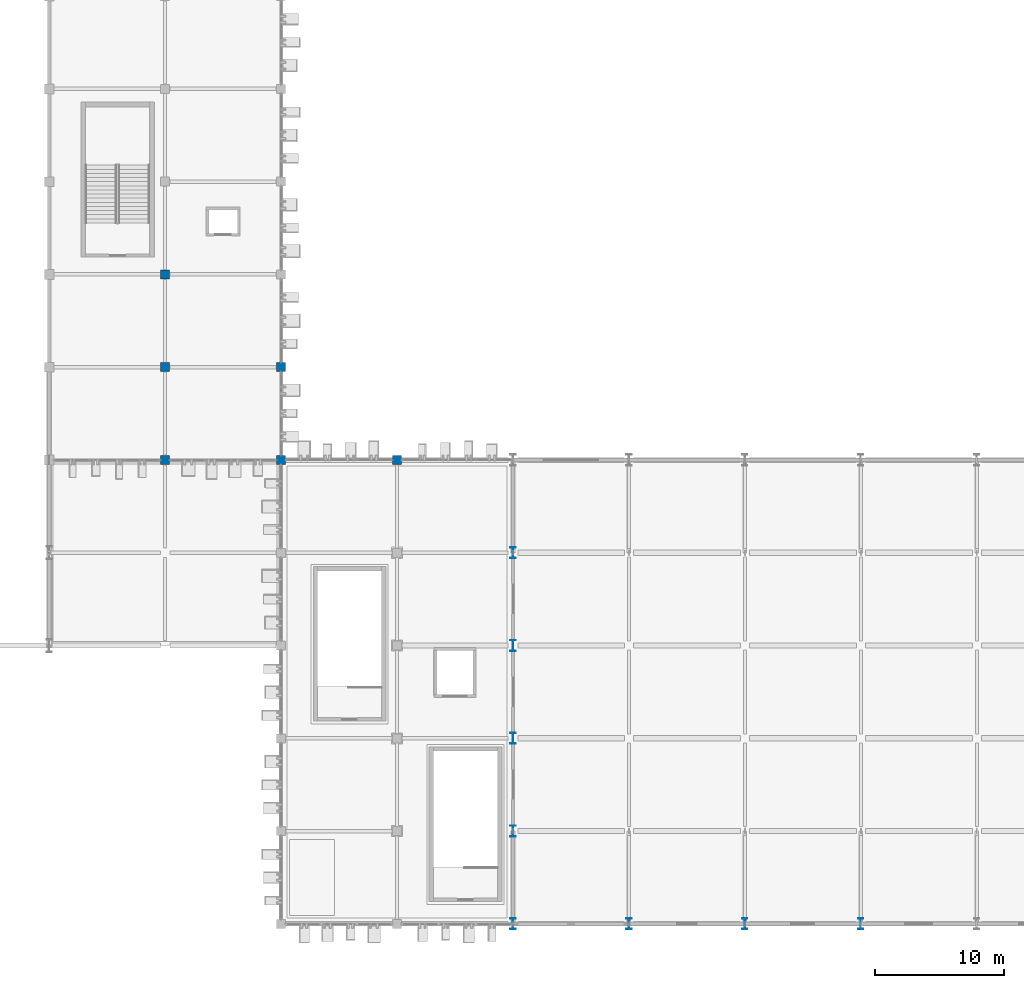
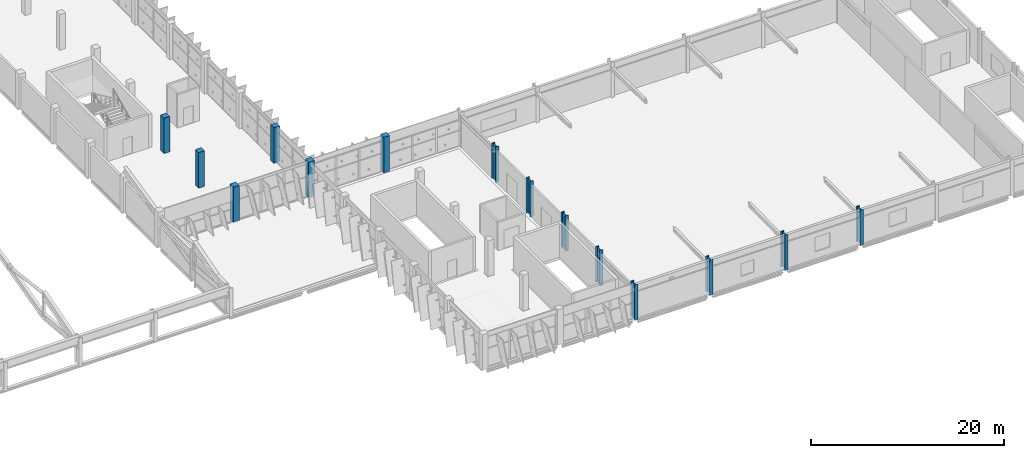
# One storey, part 5 of 151: 14 columns.
"""IFC4 building model written with IfcOpenShell, lengths in metres."""

from ifc_helpers import new_model, si_unit, direction, frame, origin, origin_2d, place, context, subcontext, project, spatial, rectangle, i_section, extrude, material, material_profile, profile_set, type_object, element, save


model = new_model("IFC4")

# Units and contexts
model_context = context("Model", 3, precision=1e-05, world=origin(), true_north=direction((0.0, 1.0)))
body_context = subcontext(model_context, "Body", "Model", "MODEL_VIEW")
ifc_project = project(units=[si_unit("LENGTHUNIT", "METRE"), si_unit("AREAUNIT", "SQUARE_METRE"), si_unit("VOLUMEUNIT", "CUBIC_METRE"), si_unit("PLANEANGLEUNIT", "RADIAN"), si_unit("MASSUNIT", "GRAM", prefix="KILO")], contexts=[model_context])

# Site, building, storey
site_placement = place(None, origin())
site = spatial("IfcSite", under=ifc_project, at=site_placement, CompositionType="ELEMENT")
building_placement = place(site_placement, origin())
building = spatial("IfcBuilding", under=site, at=building_placement, Name="Celestram Park Convention Centre", CompositionType="ELEMENT")
storey_placement = place(building_placement, frame((0.0, 0.0, 10.800048828125)))
storey = spatial("IfcBuildingStorey", under=building, at=storey_placement, Name="L02", CompositionType="ELEMENT", Elevation=10.800048828125)

# Columns
ifc_material_1 = material(Name="Concrete C40/50", Category="concrete")
ifc_material_profile_1 = material_profile(ifc_material_1, rectangle(XDim=0.699951171875, YDim=0.699951171875, at=origin_2d()), Name="RC700X700")
ifc_profile_set_1 = profile_set([ifc_material_profile_1], Name="Concrete C40/50")
column_type_1 = type_object("IfcColumnType", Name="STR-COL-RC700", PredefinedType="COLUMN", material=ifc_profile_set_1)
for number, where, z_axis, x_axis, name in (
    (1, (135.0, 36.0, 0.0), (0.0, 0.0, 1.0), (1.0, 0.0, 0.0), "Column CN-L02-138"),
    (2, (135.0, 43.199951171875, 0.0), (0.0, 0.0, 1.0), (1.0, 0.0, 0.0), "Column CN-L02-139"),
    (3, (135.0, 50.39990234375, 0.0), (0.0, 0.0, 1.0), (1.0, 0.0, 0.0), "Column CN-L02-140"),
    (4, (144.0, 36.0, 0.0), (0.0, 0.0, 1.0), (1.0, 0.0, 0.0), "Column CN-L02-162"),
    (5, (144.0, 43.199951171875, 0.0), (0.0, 0.0, 1.0), (1.0, 0.0, 0.0), "Column CN-L02-163"),
    (6, (153.0, 36.0, 0.0), (0.0, 0.0, 1.0), (1.0, 0.0, 0.0), "Column CN-L02-186"),
):
    element("IfcColumn", number, at=place(storey_placement, frame(where, z_axis=z_axis, x_axis=x_axis)), inside=storey, type_object=column_type_1, Name=name, PredefinedType="COLUMN", context=body_context, shape_type="SweptSolid", body=[
        extrude(rectangle(XDim=0.699951171875, YDim=0.699951171875, at=origin_2d()), origin(), (0.0, 0.0, 1.0), 4.5),
    ])
ifc_material_2 = material(Name="Steel ASTM A992 Grade 50", Category="steel")
ifc_material_profile_2 = material_profile(ifc_material_2, i_section(OverallWidth=0.40087890625, OverallDepth=0.85595703125, WebThickness=0.018310546875, FlangeThickness=0.029296875, at=origin_2d()), Name="W33X201")
ifc_profile_set_2 = profile_set([ifc_material_profile_2], Name="Steel ASTM A992 Grade 50")
column_type_2 = type_object("IfcColumnType", Name="STR-COL-W33X201", PredefinedType="COLUMN", material=ifc_profile_set_2)
for number, where, z_axis, x_axis, name in (
    (7, (162.0, 0.0, 0.0), (0.0, 0.0, 1.0), (1.0, 0.0, 0.0), "Column CN-L02-195"),
    (8, (162.0, 7.199951171875, 0.0), (0.0, 0.0, 1.0), (1.0, 0.0, 0.0), "Column CN-L02-196"),
    (9, (162.0, 14.39990234375, 0.0), (0.0, 0.0, 1.0), (1.0, 0.0, 0.0), "Column CN-L02-197"),
    (10, (162.0, 21.60009765625, 0.0), (0.0, 0.0, 1.0), (1.0, 0.0, 0.0), "Column CN-L02-198"),
    (11, (162.0, 28.800048828125, 0.0), (0.0, 0.0, 1.0), (1.0, 0.0, 0.0), "Column CN-L02-199"),
    (12, (171.0, 0.0, 0.0), (0.0, 0.0, 1.0), (1.0, 0.0, 0.0), "Column CN-L02-203"),
    (13, (180.0, 0.0, 0.0), (0.0, 0.0, 1.0), (1.0, 0.0, 0.0), "Column CN-L02-207"),
    (14, (189.0, 0.0, 0.0), (0.0, 0.0, 1.0), (1.0, 0.0, 0.0), "Column CN-L02-211"),
):
    element("IfcColumn", number, at=place(storey_placement, frame(where, z_axis=z_axis, x_axis=x_axis)), inside=storey, type_object=column_type_2, Name=name, PredefinedType="COLUMN", context=body_context, shape_type="SweptSolid", body=[
        extrude(i_section(OverallWidth=0.40087890625, OverallDepth=0.85595703125, WebThickness=0.018310546875, FlangeThickness=0.029296875, at=origin_2d()), origin(), (0.0, 0.0, 1.0), 4.5),
    ])

save(model, "model.ifc")
